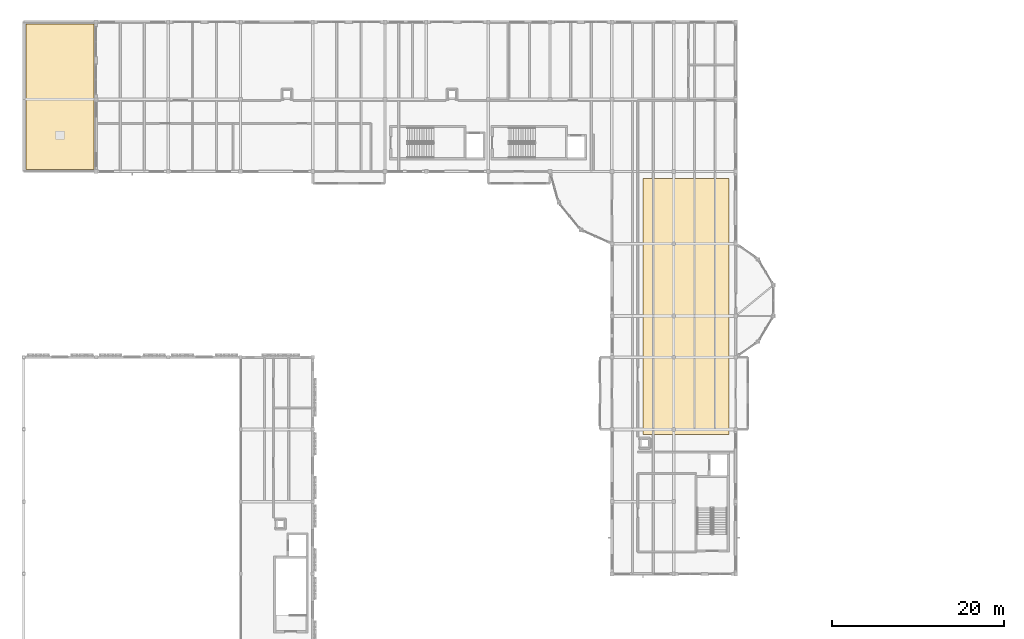
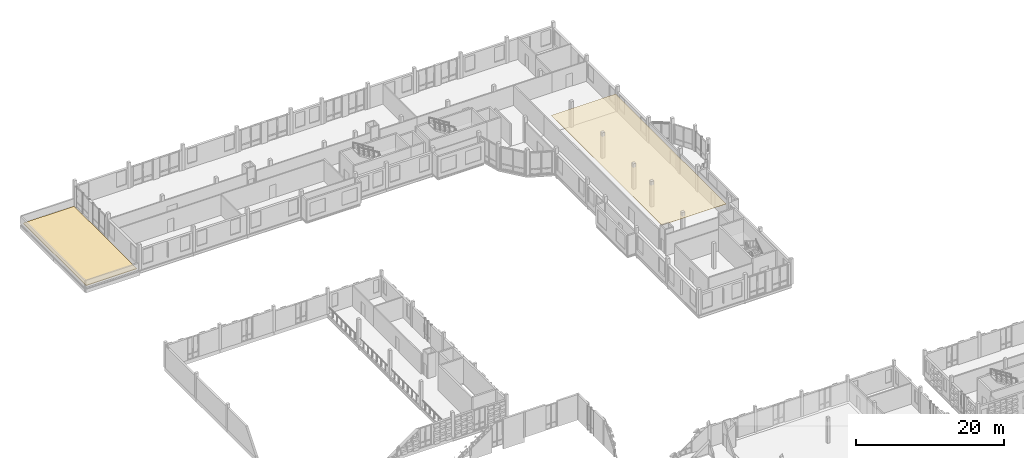
# One storey, part 81 of 81: 2 coverings.
"""IFC4 building model written with IfcOpenShell, lengths in metres."""

from ifc_helpers import new_model, si_unit, direction, frame, origin, place, context, subcontext, project, spatial, polyline, outline, extrude, material, layer, layer_set, type_object, element, save


model = new_model("IFC4")

# Units and contexts
model_context = context("Model", 3, precision=1e-05, world=origin(), true_north=direction((0.0, 1.0)))
body_context = subcontext(model_context, "Body", "Model", "MODEL_VIEW")
ifc_project = project(units=[si_unit("LENGTHUNIT", "METRE"), si_unit("AREAUNIT", "SQUARE_METRE"), si_unit("VOLUMEUNIT", "CUBIC_METRE"), si_unit("PLANEANGLEUNIT", "RADIAN"), si_unit("MASSUNIT", "GRAM", prefix="KILO")], contexts=[model_context])

# Site, building, storey
site_placement = place(None, origin())
site = spatial("IfcSite", under=ifc_project, at=site_placement, CompositionType="ELEMENT")
building_placement = place(site_placement, origin())
building = spatial("IfcBuilding", under=site, at=building_placement, Name="Kahlenmark Community Centre", CompositionType="ELEMENT")
storey_placement = place(building_placement, frame((0.0, 0.0, 9.60009765625)))
storey = spatial("IfcBuildingStorey", under=building, at=storey_placement, Name="L02", CompositionType="ELEMENT", Elevation=9.60009765625)

# Coverings
ifc_material_1 = material(Name="Perforated birch acoustic ceiling panel")
ifc_layer_1 = layer(ifc_material_1, 0.0400390625)
ifc_layer_set_1 = layer_set([ifc_layer_1], Name="Perforated birch acoustic ceiling panel")
covering_type_1 = type_object("IfcCoveringType", Name="CVT-CEIL-ACOUST", PredefinedType="CEILING", material=ifc_layer_set_1)
covering_1_placement = place(storey_placement, frame((0.0, 0.0, 3.52001953125)))
element("IfcCovering", 1, at=covering_1_placement, inside=storey, type_object=covering_type_1, Name="Acoustic birch ceiling 06", PredefinedType="CEILING", context=body_context, shape_type="SweptSolid", body=[
    extrude(outline(polyline([(76.0, 67.0), (86.0, 67.0), (86.0, 96.800048828125), (76.0, 96.800048828125), (76.0, 67.0)])), origin(), (0.0, 0.0, 1.0), 0.039794921875),
])
ifc_material_2 = material(Name="Extensive sedum green roof substrate")
ifc_layer_2 = layer(ifc_material_2, 0.080078125)
ifc_layer_set_2 = layer_set([ifc_layer_2], Name="Extensive sedum green roof substrate")
covering_type_2 = type_object("IfcCoveringType", Name="CVT-ROOF-GRN", PredefinedType="ROOFING", material=ifc_layer_set_2)
covering_2_placement = place(storey_placement, origin())
element("IfcCovering", 2, at=covering_2_placement, inside=storey, type_object=covering_type_2, Name="Roof membrane 01", PredefinedType="ROOFING", context=body_context, shape_type="SweptSolid", body=[
    extrude(outline(polyline([(4.25, 97.85009765625), (12.14990234375, 97.85009765625), (12.14990234375, 114.75), (4.25, 114.75), (4.25, 97.85009765625)])), origin(), (0.0, 0.0, 1.0), 0.079833984375),
])

save(model, "model.ifc")
